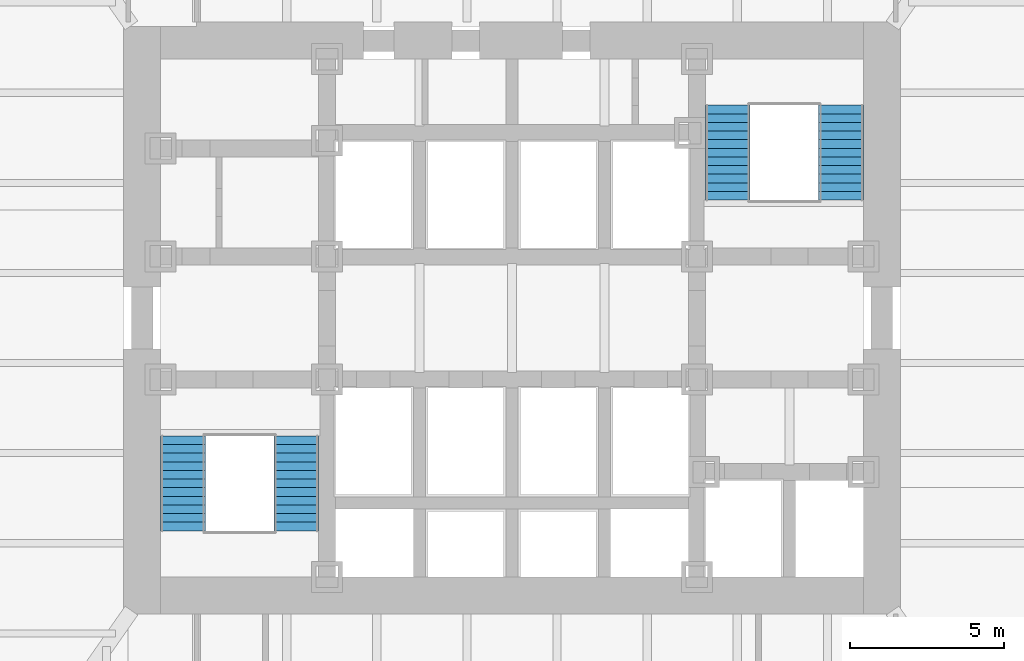
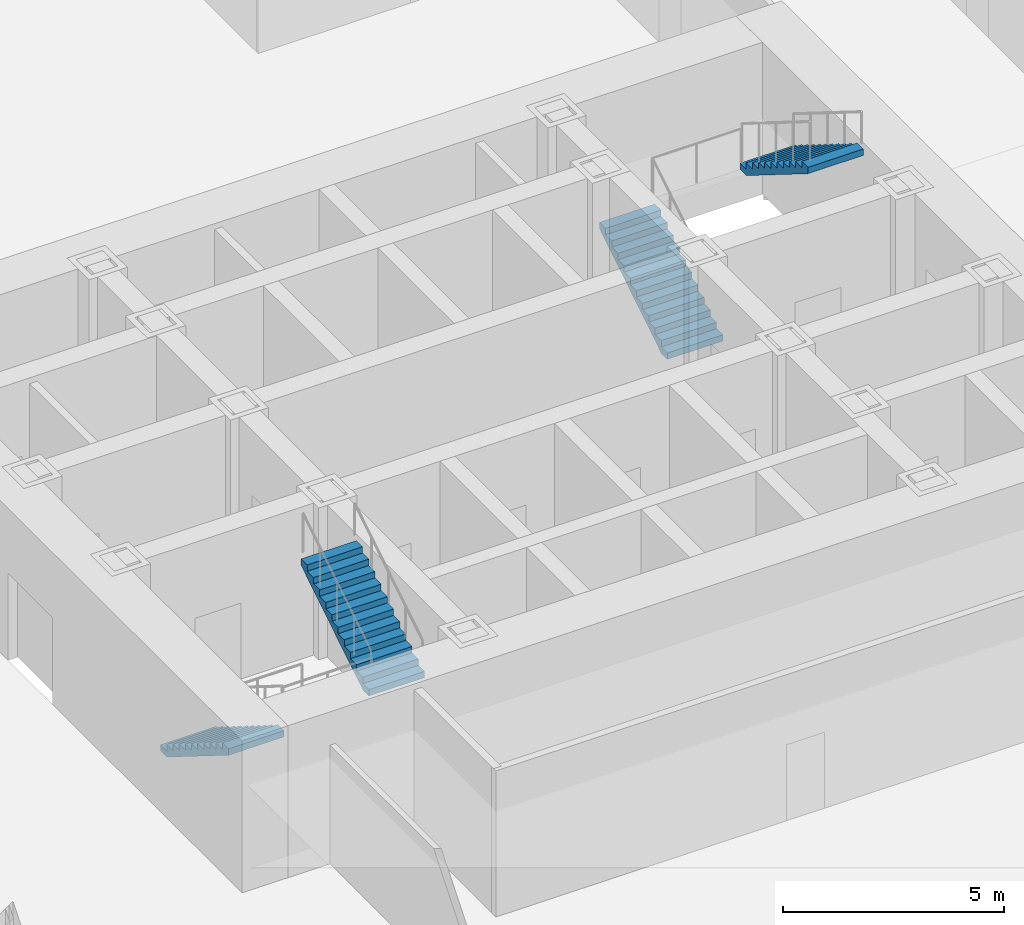
# One storey, part 11 of 17: 4 stair flights, 2 elements without a shape of their own.
"""IFC4 building model written with IfcOpenShell, lengths in metres."""

from ifc_helpers import new_model, si_unit, direction, frame, origin, place, context, subcontext, project, spatial, polyline, outline, extrude, material, type_object, element, aggregate, save


model = new_model("IFC4")

# Units and contexts
model_context = context("Model", 3, precision=1e-05, world=origin(), true_north=direction((0.0, 1.0)))
body_context = subcontext(model_context, "Body", "Model", "MODEL_VIEW")
ifc_project = project(units=[si_unit("LENGTHUNIT", "METRE"), si_unit("AREAUNIT", "SQUARE_METRE"), si_unit("VOLUMEUNIT", "CUBIC_METRE"), si_unit("PLANEANGLEUNIT", "RADIAN"), si_unit("MASSUNIT", "GRAM", prefix="KILO")], contexts=[model_context])

# Site, building, storey
site_placement = place(None, origin())
site = spatial("IfcSite", under=ifc_project, at=site_placement, CompositionType="ELEMENT")
building_placement = place(site_placement, origin())
building = spatial("IfcBuilding", under=site, at=building_placement, Name="Daluyong Arena Tower", CompositionType="ELEMENT")
storey_placement = place(building_placement, frame((0.0, 0.0, 55.89990234375)))
storey = spatial("IfcBuildingStorey", under=building, at=storey_placement, Name="L11", CompositionType="ELEMENT", Elevation=55.89990234375)

# Stair, stair flights
ifc_material_1 = material(Name="Concrete fc' 35 MPa", Category="concrete")
stair_type = type_object("IfcStairType", Name="Core exit stair", PredefinedType="HALF_TURN_STAIR", material=ifc_material_1)
stair_1_placement = place(storey_placement, origin())
stair_1 = element("IfcStair", 1, at=stair_1_placement, inside=storey, type_object=stair_type, Name="exit stair A L11", PredefinedType="HALF_TURN_STAIR")
ifc_material_2 = material(Name="Concrete fc' 35 MPa", Category="concrete")
stair_flight_type = type_object("IfcStairFlightType", Name="Core stair flight", PredefinedType="STRAIGHT", material=ifc_material_2)
stair_flight_1_placement = place(storey_placement, frame((45.324951171875, 76.175048828125, 0.0), z_axis=(0.0, 0.0, 1.0), x_axis=(0.0, -1.0, 0.0)))
stair_flight_1 = element("IfcStairFlight", 2, at=stair_flight_1_placement, type_object=stair_flight_type, Name="STA flight 1", NumberOfRisers=12, NumberOfTreads=11, PredefinedType="STRAIGHT", RiserHeight=0.175, TreadLength=0.28, context=body_context, shape_type="SweptSolid", body=[
    extrude(outline(polyline([(0.0, 0.0), (0.0, 0.175048828125), (0.280029296875, 0.175048828125), (0.280029296875, 0.35009765625), (0.56005859375, 0.35009765625), (0.56005859375, 0.52490234375), (0.840087890625, 0.52490234375), (0.840087890625, 0.699951171875), (1.1201171875, 0.699951171875), (1.1201171875, 0.875), (1.39990234375, 0.875), (1.39990234375, 1.050048828125), (1.679931640625, 1.050048828125), (1.679931640625, 1.22509765625), (1.9599609375, 1.22509765625), (1.9599609375, 1.39990234375), (2.239990234375, 1.39990234375), (2.239990234375, 1.574951171875), (2.52001953125, 1.574951171875), (2.52001953125, 1.75), (2.800048828125, 1.75), (2.800048828125, 1.925048828125), (3.080078125, 1.925048828125), (3.080078125, 2.10009765625), (3.080078125, 1.748291015625), (0.28271484375, 0.0), (0.0, 0.0)])), frame((0.0, 0.72509765625, 0.0), z_axis=(0.0, -1.0, 0.0), x_axis=(1.0, 0.0, 0.0)), (0.0, 0.0, 1.0), 1.449951171875),
])
stair_flight_2_placement = place(storey_placement, frame((49.0, 73.094970703125, 2.10009765625), z_axis=(0.0, 0.0, 1.0), x_axis=(0.0, 1.0, 0.0)))
stair_flight_2 = element("IfcStairFlight", 3, at=stair_flight_2_placement, type_object=stair_flight_type, Name="STA flight 2", NumberOfRisers=12, NumberOfTreads=11, PredefinedType="STRAIGHT", RiserHeight=0.175, TreadLength=0.28, context=body_context, shape_type="SweptSolid", body=[
    extrude(outline(polyline([(0.0, 0.0), (0.0, 0.175048828125), (0.280029296875, 0.175048828125), (0.280029296875, 0.35009765625), (0.56005859375, 0.35009765625), (0.56005859375, 0.52490234375), (0.840087890625, 0.52490234375), (0.840087890625, 0.699951171875), (1.1201171875, 0.699951171875), (1.1201171875, 0.875), (1.39990234375, 0.875), (1.39990234375, 1.050048828125), (1.679931640625, 1.050048828125), (1.679931640625, 1.22509765625), (1.9599609375, 1.22509765625), (1.9599609375, 1.39990234375), (2.239990234375, 1.39990234375), (2.239990234375, 1.574951171875), (2.52001953125, 1.574951171875), (2.52001953125, 1.75), (2.800048828125, 1.75), (2.800048828125, 1.925048828125), (3.080078125, 1.925048828125), (3.080078125, 2.10009765625), (3.080078125, 1.748291015625), (0.28271484375, 0.0), (0.0, 0.0)])), frame((0.0, 0.72509765625, 0.0), z_axis=(0.0, -1.0, 0.0), x_axis=(1.0, 0.0, 0.0)), (0.0, 0.0, 1.0), 1.449951171875),
])
aggregate(stair_1, [stair_flight_1, stair_flight_2])

stair_2_placement = place(storey_placement, origin())
stair_2 = element("IfcStair", 4, at=stair_2_placement, inside=storey, type_object=stair_type, Name="exit stair B L11", PredefinedType="HALF_TURN_STAIR")
stair_flight_3_placement = place(storey_placement, frame((63.0, 83.824951171875, 0.0), z_axis=(0.0, 0.0, 1.0), x_axis=(0.0, 1.0, 0.0)))
stair_flight_3 = element("IfcStairFlight", 5, at=stair_flight_3_placement, type_object=stair_flight_type, Name="STB flight 1", NumberOfRisers=12, NumberOfTreads=11, PredefinedType="STRAIGHT", RiserHeight=0.175, TreadLength=0.28, context=body_context, shape_type="SweptSolid", body=[
    extrude(outline(polyline([(0.0, 0.0), (0.0, 0.175048828125), (0.280029296875, 0.175048828125), (0.280029296875, 0.35009765625), (0.56005859375, 0.35009765625), (0.56005859375, 0.52490234375), (0.840087890625, 0.52490234375), (0.840087890625, 0.699951171875), (1.1201171875, 0.699951171875), (1.1201171875, 0.875), (1.39990234375, 0.875), (1.39990234375, 1.050048828125), (1.679931640625, 1.050048828125), (1.679931640625, 1.22509765625), (1.9599609375, 1.22509765625), (1.9599609375, 1.39990234375), (2.239990234375, 1.39990234375), (2.239990234375, 1.574951171875), (2.52001953125, 1.574951171875), (2.52001953125, 1.75), (2.800048828125, 1.75), (2.800048828125, 1.925048828125), (3.080078125, 1.925048828125), (3.080078125, 2.10009765625), (3.080078125, 1.748291015625), (0.28271484375, 0.0), (0.0, 0.0)])), frame((0.0, 0.72509765625, 0.0), z_axis=(0.0, -1.0, 0.0), x_axis=(1.0, 0.0, 0.0)), (0.0, 0.0, 1.0), 1.449951171875),
])
stair_flight_4_placement = place(storey_placement, frame((66.675048828125, 86.905029296875, 2.10009765625), z_axis=(0.0, 0.0, 1.0), x_axis=(0.0, -1.0, 0.0)))
stair_flight_4 = element("IfcStairFlight", 6, at=stair_flight_4_placement, type_object=stair_flight_type, Name="STB flight 2", NumberOfRisers=12, NumberOfTreads=11, PredefinedType="STRAIGHT", RiserHeight=0.175, TreadLength=0.28, context=body_context, shape_type="SweptSolid", body=[
    extrude(outline(polyline([(0.0, 0.0), (0.0, 0.175048828125), (0.280029296875, 0.175048828125), (0.280029296875, 0.35009765625), (0.56005859375, 0.35009765625), (0.56005859375, 0.52490234375), (0.840087890625, 0.52490234375), (0.840087890625, 0.699951171875), (1.1201171875, 0.699951171875), (1.1201171875, 0.875), (1.39990234375, 0.875), (1.39990234375, 1.050048828125), (1.679931640625, 1.050048828125), (1.679931640625, 1.22509765625), (1.9599609375, 1.22509765625), (1.9599609375, 1.39990234375), (2.239990234375, 1.39990234375), (2.239990234375, 1.574951171875), (2.52001953125, 1.574951171875), (2.52001953125, 1.75), (2.800048828125, 1.75), (2.800048828125, 1.925048828125), (3.080078125, 1.925048828125), (3.080078125, 2.10009765625), (3.080078125, 1.748291015625), (0.28271484375, 0.0), (0.0, 0.0)])), frame((0.0, 0.72509765625, 0.0), z_axis=(0.0, -1.0, 0.0), x_axis=(1.0, 0.0, 0.0)), (0.0, 0.0, 1.0), 1.449951171875),
])
aggregate(stair_2, [stair_flight_3, stair_flight_4])

save(model, "model.ifc")
